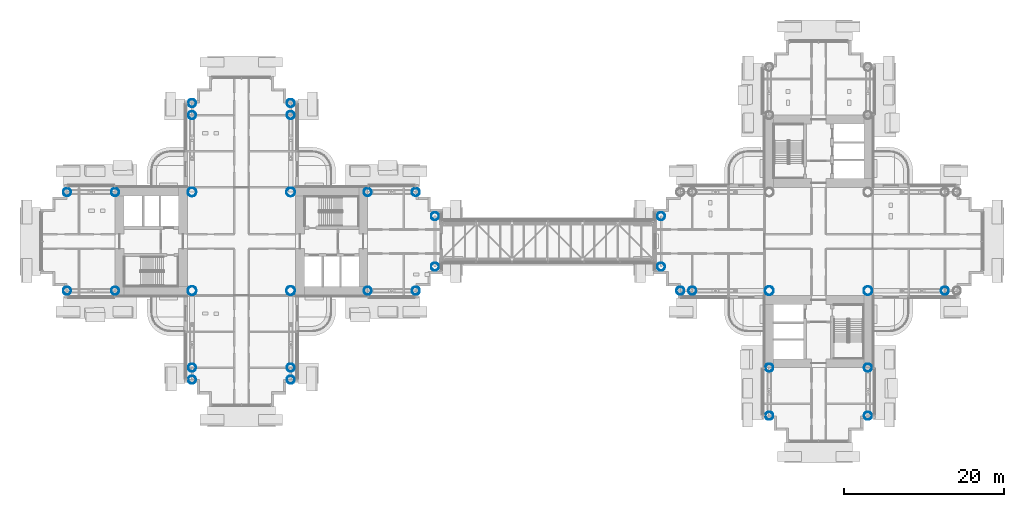
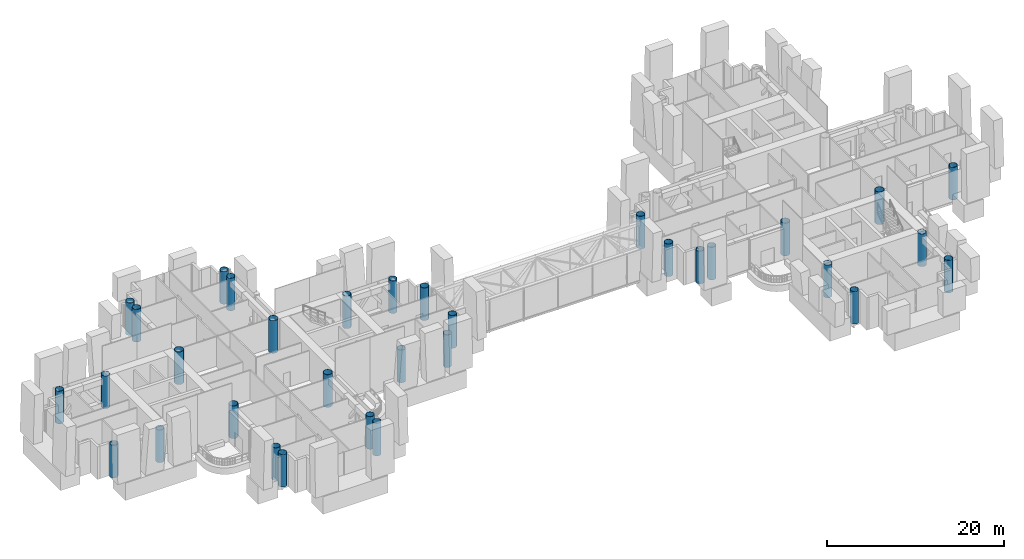
# One storey, part 1 of 27: 33 columns.
"""IFC4 building model written with IfcOpenShell, lengths in metres."""

from ifc_helpers import new_model, si_unit, direction, frame, origin, origin_2d, place, context, subcontext, project, spatial, hollow_circle, extrude, material, material_profile, profile_set, type_object, element, save


model = new_model("IFC4")

# Units and contexts
model_context = context("Model", 3, precision=1e-05, world=origin(), true_north=direction((0.0, 1.0)))
body_context = subcontext(model_context, "Body", "Model", "MODEL_VIEW")
ifc_project = project(units=[si_unit("LENGTHUNIT", "METRE"), si_unit("AREAUNIT", "SQUARE_METRE"), si_unit("VOLUMEUNIT", "CUBIC_METRE"), si_unit("PLANEANGLEUNIT", "RADIAN"), si_unit("MASSUNIT", "GRAM", prefix="KILO")], contexts=[model_context])

# Site, building, storey
site_placement = place(None, origin())
site = spatial("IfcSite", under=ifc_project, at=site_placement, CompositionType="ELEMENT")
building_placement = place(site_placement, origin())
building = spatial("IfcBuilding", under=site, at=building_placement, Name="Ipe Terrace Towers", CompositionType="ELEMENT")
storey_placement = place(building_placement, frame((0.0, 0.0, 72.10009765625)))
storey = spatial("IfcBuildingStorey", under=building, at=storey_placement, Name="L19", CompositionType="ELEMENT", Elevation=72.10009765625)

# Columns
ifc_material_1 = material(Name="Steel S355 tube with Concrete C60/75 fill", Category="concrete")
ifc_material_profile_1 = material_profile(ifc_material_1, hollow_circle(Radius=0.5, WallThickness=0.035888671875, at=origin_2d()), Name="CHS-1000x36")
ifc_profile_set_1 = profile_set([ifc_material_profile_1], Name="Steel S355 tube with Concrete C60/75 fill")
column_type_1 = type_object("IfcColumnType", Name="CH01 COLUMN CHS-1000x36", PredefinedType="COLUMN", material=ifc_profile_set_1)
for number, where, z_axis, x_axis, name in (
    (1, (-20.25, -6.14990234375, 0.0), (0.0, 0.0, 1.0), (1.0, 0.0, 0.0), "Column T1-C-A01"),
    (2, (-20.25, 6.14990234375, 0.0), (0.0, 0.0, 1.0), (1.0, 0.0, 0.0), "Column T1-C-A02"),
    (3, (-14.25, -6.14990234375, 0.0), (0.0, 0.0, 1.0), (1.0, 0.0, 0.0), "Column T1-C-A03"),
    (4, (-14.25, 6.14990234375, 0.0), (0.0, 0.0, 1.0), (1.0, 0.0, 0.0), "Column T1-C-A04"),
    (5, (-11.85009765625, -3.14990234375, 0.0), (0.0, 0.0, 1.0), (1.0, 0.0, 0.0), "Column T1-C-A05"),
    (6, (-11.85009765625, 3.14990234375, 0.0), (0.0, 0.0, 1.0), (1.0, 0.0, 0.0), "Column T1-C-A06"),
    (7, (-29.85009765625, 15.75, 0.0), (0.0, 0.0, 1.0), (1.0, 0.0, 0.0), "Column T1-C-B03"),
    (8, (-42.14990234375, 15.75, 0.0), (0.0, 0.0, 1.0), (1.0, 0.0, 0.0), "Column T1-C-B04"),
    (9, (-29.85009765625, 17.25, 0.0), (0.0, 0.0, 1.0), (1.0, 0.0, 0.0), "Column T1-C-B05"),
    (10, (-42.14990234375, 17.25, 0.0), (0.0, 0.0, 1.0), (1.0, 0.0, 0.0), "Column T1-C-B06"),
    (11, (-51.75, -6.14990234375, 0.0), (0.0, 0.0, 1.0), (1.0, 0.0, 0.0), "Column T1-C-C01"),
    (12, (-51.75, 6.14990234375, 0.0), (0.0, 0.0, 1.0), (1.0, 0.0, 0.0), "Column T1-C-C02"),
    (13, (-57.75, -6.14990234375, 0.0), (0.0, 0.0, 1.0), (1.0, 0.0, 0.0), "Column T1-C-C03"),
    (14, (-57.75, 6.14990234375, 0.0), (0.0, 0.0, 1.0), (1.0, 0.0, 0.0), "Column T1-C-C04"),
    (15, (-42.14990234375, -15.75, 0.0), (0.0, 0.0, 1.0), (1.0, 0.0, 0.0), "Column T1-C-D03"),
    (16, (-29.85009765625, -15.75, 0.0), (0.0, 0.0, 1.0), (1.0, 0.0, 0.0), "Column T1-C-D04"),
    (17, (-42.14990234375, -17.25, 0.0), (0.0, 0.0, 1.0), (1.0, 0.0, 0.0), "Column T1-C-D05"),
    (18, (-29.85009765625, -17.25, 0.0), (0.0, 0.0, 1.0), (1.0, 0.0, 0.0), "Column T1-C-D06"),
    (19, (20.25, -6.14990234375, 0.0), (0.0, 0.0, 1.0), (1.0, 0.0, 0.0), "Column T2-C-B04"),
    (20, (18.75, -6.14990234375, 0.0), (0.0, 0.0, 1.0), (1.0, 0.0, 0.0), "Column T2-C-B06"),
    (21, (16.35009765625, 3.14990234375, 0.0), (0.0, 0.0, 1.0), (1.0, 0.0, 0.0), "Column T2-C-B07"),
    (22, (16.35009765625, -3.14990234375, 0.0), (0.0, 0.0, 1.0), (1.0, 0.0, 0.0), "Column T2-C-B08"),
    (23, (42.14990234375, -15.75, 0.0), (0.0, 0.0, 1.0), (1.0, 0.0, 0.0), "Column T2-C-C01"),
    (24, (29.85009765625, -15.75, 0.0), (0.0, 0.0, 1.0), (1.0, 0.0, 0.0), "Column T2-C-C02"),
    (25, (42.14990234375, -21.75, 0.0), (0.0, 0.0, 1.0), (1.0, 0.0, 0.0), "Column T2-C-C03"),
    (26, (29.85009765625, -21.75, 0.0), (0.0, 0.0, 1.0), (1.0, 0.0, 0.0), "Column T2-C-C04"),
    (27, (51.75, -6.14990234375, 0.0), (0.0, 0.0, 1.0), (1.0, 0.0, 0.0), "Column T2-C-D03"),
):
    element("IfcColumn", number, at=place(storey_placement, frame(where, z_axis=z_axis, x_axis=x_axis)), inside=storey, type_object=column_type_1, Name=name, PredefinedType="COLUMN", context=body_context, shape_type="SweptSolid", body=[
        extrude(hollow_circle(Radius=0.5, WallThickness=0.035888671875, at=origin_2d()), origin(), (0.0, 0.0, 1.0), 4.5),
    ])
ifc_material_2 = material(Name="Steel S355 tube with Concrete C60/75 fill", Category="concrete")
ifc_material_profile_2 = material_profile(ifc_material_2, hollow_circle(Radius=0.550048828125, WallThickness=0.0400390625, at=origin_2d()), Name="CHS-1100x40")
ifc_profile_set_2 = profile_set([ifc_material_profile_2], Name="Steel S355 tube with Concrete C60/75 fill")
column_type_2 = type_object("IfcColumnType", Name="CH02 COLUMN CHS-1100x40", PredefinedType="COLUMN", material=ifc_profile_set_2)
for number, where, z_axis, x_axis, name in (
    (28, (-42.14990234375, -6.14990234375, 0.0), (0.0, 0.0, 1.0), (1.0, 0.0, 0.0), "Column T1-C-E01"),
    (29, (-29.85009765625, -6.14990234375, 0.0), (0.0, 0.0, 1.0), (1.0, 0.0, 0.0), "Column T1-C-E02"),
    (30, (-29.85009765625, 6.14990234375, 0.0), (0.0, 0.0, 1.0), (1.0, 0.0, 0.0), "Column T1-C-E03"),
    (31, (-42.14990234375, 6.14990234375, 0.0), (0.0, 0.0, 1.0), (1.0, 0.0, 0.0), "Column T1-C-E04"),
    (32, (42.14990234375, -6.14990234375, 0.0), (0.0, 0.0, 1.0), (1.0, 0.0, 0.0), "Column T2-C-E01"),
    (33, (29.85009765625, -6.14990234375, 0.0), (0.0, 0.0, 1.0), (1.0, 0.0, 0.0), "Column T2-C-E04"),
):
    element("IfcColumn", number, at=place(storey_placement, frame(where, z_axis=z_axis, x_axis=x_axis)), inside=storey, type_object=column_type_2, Name=name, PredefinedType="COLUMN", context=body_context, shape_type="SweptSolid", body=[
        extrude(hollow_circle(Radius=0.550048828125, WallThickness=0.0400390625, at=origin_2d()), origin(), (0.0, 0.0, 1.0), 4.5),
    ])

save(model, "model.ifc")
